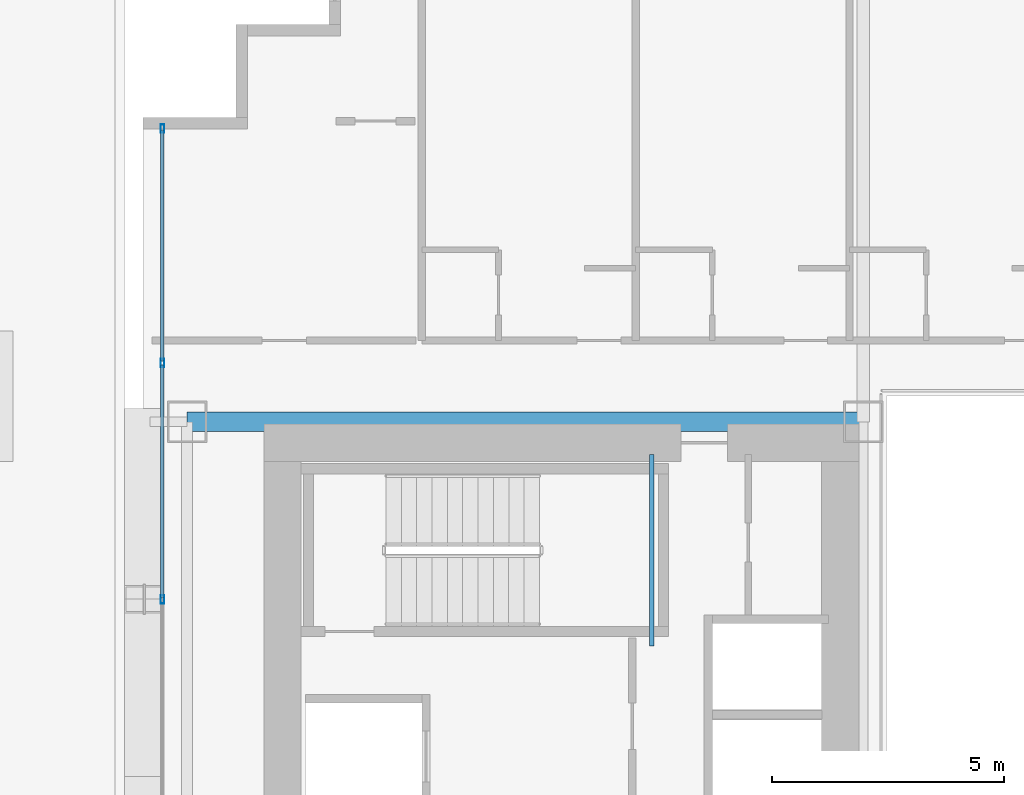
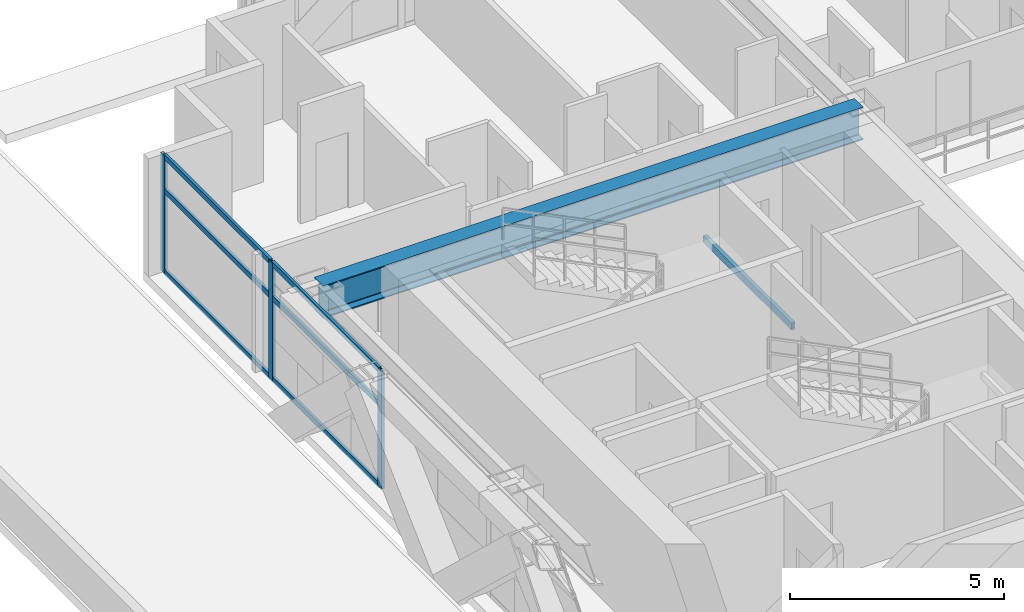
# One storey, part 15 of 35: 9 members, 2 beams, 1 element without a shape of its own.
"""IFC4 building model written with IfcOpenShell, lengths in metres."""

from ifc_helpers import new_model, si_unit, direction, frame, origin, origin_2d, place, context, subcontext, project, spatial, hollow_rectangle, i_section, extrude, source, transform, mapped, material, layer, layer_set, material_profile, profile_set, type_object, element, aggregate, save


model = new_model("IFC4")

# Units and contexts
model_context = context("Model", 3, precision=1e-05, world=origin(), true_north=direction((0.0, 1.0)))
body_context = subcontext(model_context, "Body", "Model", "MODEL_VIEW")
ifc_project = project(units=[si_unit("LENGTHUNIT", "METRE"), si_unit("AREAUNIT", "SQUARE_METRE"), si_unit("VOLUMEUNIT", "CUBIC_METRE"), si_unit("PLANEANGLEUNIT", "RADIAN"), si_unit("MASSUNIT", "GRAM", prefix="KILO")], contexts=[model_context])

# Site, building, storey
site_placement = place(None, origin())
site = spatial("IfcSite", under=ifc_project, at=site_placement, CompositionType="ELEMENT")
building_placement = place(site_placement, origin())
building = spatial("IfcBuilding", under=site, at=building_placement, Name="Ocotamira Hotel", CompositionType="ELEMENT")
storey_placement = place(building_placement, frame((0.0, 0.0, 34.800048828125)))
storey = spatial("IfcBuildingStorey", under=building, at=storey_placement, Name="L07", CompositionType="ELEMENT", Elevation=34.800048828125)

# Beams
ifc_material_1 = material(Name="Steel ASTM A500 Grade C", Category="steel")
ifc_material_profile_1 = material_profile(ifc_material_1, hollow_rectangle(XDim=0.10009765625, YDim=0.199951171875, WallThickness=0.008056640625, at=origin_2d()), Name="HSS200X100X8")
ifc_profile_set_1 = profile_set([ifc_material_profile_1], Name="Steel ASTM A500 Grade C")
beam_type_1 = type_object("IfcBeamType", Name="BM-STLDG-HSS200", PredefinedType="BEAM", material=ifc_profile_set_1)
shared_shape_1 = source(origin(), body_context, "Body", "SweptSolid", [
    extrude(hollow_rectangle(XDim=0.10009765625, YDim=0.199951171875, WallThickness=0.008056640625, at=origin_2d()), origin(), (0.0, 0.0, 1.0), 4.1201171875),
])
beam_1_placement = place(storey_placement, frame((18.949951171875, 32.6298828125, 1.5), z_axis=(0.0, 1.0, 0.0), x_axis=(-1.0, 0.0, 0.0)))
element("IfcBeam", 1, at=beam_1_placement, inside=storey, type_object=beam_type_1, Name="L07 Stair ST-2 Landing Bearer 1", PredefinedType="BEAM", context=body_context, shape_type="MappedRepresentation", body=[
    mapped(shared_shape_1, transform((0.0, 0.0, 0.0), scale=1.0)),
])
ifc_material_2 = material(Name="Steel ASTM A992 Grade 50", Category="steel")
ifc_material_profile_2 = material_profile(ifc_material_2, i_section(OverallWidth=0.41796875, OverallDepth=0.927001953125, WebThickness=0.019287109375, FlangeThickness=0.031982421875, FilletRadius=0.02392578125, at=origin_2d()), Name="W36X231")
ifc_profile_set_2 = profile_set([ifc_material_profile_2], Name="Steel ASTM A992 Grade 50")
beam_type_2 = type_object("IfcBeamType", Name="BM-GIRD-W36X231", PredefinedType="BEAM", material=ifc_profile_set_2)
shared_shape_2 = source(origin(), body_context, "Body", "SweptSolid", [
    extrude(i_section(OverallWidth=0.41796875, OverallDepth=0.927001953125, WebThickness=0.019287109375, FlangeThickness=0.031982421875, FilletRadius=0.02392578125, at=origin_2d()), origin(), (0.0, 0.0, 1.0), 14.550048828125),
])
beam_2_placement = place(storey_placement, frame((8.949951171875, 37.449951171875, 2.886474609375), z_axis=(1.0, 0.0, 0.0), x_axis=(0.0, 1.0, 0.0)))
element("IfcBeam", 2, at=beam_2_placement, inside=storey, type_object=beam_type_2, Name="L07 Girder Y37.45 X8.95-23.5", PredefinedType="BEAM", context=body_context, shape_type="MappedRepresentation", body=[
    mapped(shared_shape_2, transform((0.0, 0.0, 0.0), scale=1.0)),
])

# Curtain wall, members
ifc_material_3 = material(Name="Anodised pale-metal aluminium and solar glass", Category="aluminium")
ifc_layer = layer(ifc_material_3, 0.179931640625)
ifc_layer_set = layer_set([ifc_layer], Name="Anodised pale-metal aluminium and solar glass")
curtain_wall_type = type_object("IfcCurtainWallType", Name="CW-SYS2-Z1", PredefinedType="NOTDEFINED", material=ifc_layer_set)
curtain_wall_placement = place(storey_placement, origin())
curtain_wall = element("IfcCurtainWall", 3, at=curtain_wall_placement, inside=storey, type_object=curtain_wall_type, Name="L07 Curtain Wall CW-2 CW-L07-W", PredefinedType="NOTDEFINED")
ifc_material_4 = material(Name="Anodised pale-metal aluminium 6063-T6", Category="aluminium")
ifc_material_profile_3 = material_profile(ifc_material_4, hollow_rectangle(XDim=0.080078125, YDim=0.179931640625, WallThickness=0.006103515625, at=origin_2d()), Name="HSS180X80X6")
ifc_profile_set_3 = profile_set([ifc_material_profile_3], Name="Anodised pale-metal aluminium 6063-T6")
member_type_1 = type_object("IfcMemberType", Name="CWM-180X75", PredefinedType="MULLION", material=ifc_profile_set_3)
shared_shape_3 = source(origin(), body_context, "Body", "SweptSolid", [
    extrude(hollow_rectangle(XDim=0.080078125, YDim=0.179931640625, WallThickness=0.006103515625, at=origin_2d()), origin(), (0.0, 0.0, 1.0), 3.349853515625),
])
member_1_placement = place(storey_placement, frame((8.419921875, 33.628662109375, 0.0), z_axis=(0.0, 0.0, 1.0), x_axis=(-1.0, 0.0, 0.0)))
member_1 = element("IfcMember", 4, at=member_1_placement, type_object=member_type_1, Name="CW-2 mullion 6", PredefinedType="MULLION", context=body_context, shape_type="MappedRepresentation", body=[
    mapped(shared_shape_3, transform((0.0, 0.0, 0.0), scale=1.0)),
])
member_2_placement = place(storey_placement, frame((8.419921875, 38.71435546875, 0.0), z_axis=(0.0, 0.0, 1.0), x_axis=(-1.0, 0.0, 0.0)))
member_2 = element("IfcMember", 5, at=member_2_placement, type_object=member_type_1, Name="CW-2 mullion 7", PredefinedType="MULLION", context=body_context, shape_type="MappedRepresentation", body=[
    mapped(shared_shape_3, transform((0.0, 0.0, 0.0), scale=1.0)),
])
member_3_placement = place(storey_placement, frame((8.419921875, 43.760009765625, 0.0), z_axis=(0.0, 0.0, 1.0), x_axis=(-1.0, 0.0, 0.0)))
member_3 = element("IfcMember", 6, at=member_3_placement, type_object=member_type_1, Name="CW-2 mullion 8", PredefinedType="MULLION", context=body_context, shape_type="MappedRepresentation", body=[
    mapped(shared_shape_3, transform((0.0, 0.0, 0.0), scale=1.0)),
])
ifc_material_profile_4 = material_profile(ifc_material_4, hollow_rectangle(XDim=0.074951171875, YDim=0.14990234375, WallThickness=0.006103515625, at=origin_2d()), Name="HSS150X75X6")
ifc_profile_set_4 = profile_set([ifc_material_profile_4], Name="Anodised pale-metal aluminium 6063-T6")
member_type_2 = type_object("IfcMemberType", Name="CWT-150X75", PredefinedType="USERDEFINED", material=ifc_profile_set_4)
shared_shape_4 = source(origin(), body_context, "Body", "SweptSolid", [
    extrude(hollow_rectangle(XDim=0.074951171875, YDim=0.14990234375, WallThickness=0.006103515625, at=origin_2d()), origin(), (0.0, 0.0, 1.0), 4.965576171875),
])
member_4_placement = place(storey_placement, frame((8.419921875, 38.75439453125, 0.037353515625), z_axis=(0.0, 1.0, 0.0), x_axis=(-1.0, 0.0, 0.0)))
member_4 = element("IfcMember", 7, at=member_4_placement, type_object=member_type_2, Name="CW-2 transom 7.1", ObjectType="TRANSOM", PredefinedType="USERDEFINED", context=body_context, shape_type="MappedRepresentation", body=[
    mapped(shared_shape_4, transform((0.0, 0.0, 0.0), scale=1.0)),
])
member_5_placement = place(storey_placement, frame((8.419921875, 38.75439453125, 2.349853515625), z_axis=(0.0, 1.0, 0.0), x_axis=(-1.0, 0.0, 0.0)))
member_5 = element("IfcMember", 8, at=member_5_placement, type_object=member_type_2, Name="CW-2 transom 7.2", ObjectType="TRANSOM", PredefinedType="USERDEFINED", context=body_context, shape_type="MappedRepresentation", body=[
    mapped(shared_shape_4, transform((0.0, 0.0, 0.0), scale=1.0)),
])
member_6_placement = place(storey_placement, frame((8.419921875, 38.75439453125, 3.3125), z_axis=(0.0, 1.0, 0.0), x_axis=(-1.0, 0.0, 0.0)))
member_6 = element("IfcMember", 9, at=member_6_placement, type_object=member_type_2, Name="CW-2 transom 7.3", ObjectType="TRANSOM", PredefinedType="USERDEFINED", context=body_context, shape_type="MappedRepresentation", body=[
    mapped(shared_shape_4, transform((0.0, 0.0, 0.0), scale=1.0)),
])
shared_shape_5 = source(origin(), body_context, "Body", "SweptSolid", [
    extrude(hollow_rectangle(XDim=0.074951171875, YDim=0.14990234375, WallThickness=0.006103515625, at=origin_2d()), origin(), (0.0, 0.0, 1.0), 5.005859375),
])
member_7_placement = place(storey_placement, frame((8.419921875, 33.66845703125, 0.037353515625), z_axis=(0.0, 1.0, 0.0), x_axis=(-1.0, 0.0, 0.0)))
member_7 = element("IfcMember", 10, at=member_7_placement, type_object=member_type_2, Name="CW-2 transom 6.1", ObjectType="TRANSOM", PredefinedType="USERDEFINED", context=body_context, shape_type="MappedRepresentation", body=[
    mapped(shared_shape_5, transform((0.0, 0.0, 0.0), scale=1.0)),
])
member_8_placement = place(storey_placement, frame((8.419921875, 33.66845703125, 2.349853515625), z_axis=(0.0, 1.0, 0.0), x_axis=(-1.0, 0.0, 0.0)))
member_8 = element("IfcMember", 11, at=member_8_placement, type_object=member_type_2, Name="CW-2 transom 6.2", ObjectType="TRANSOM", PredefinedType="USERDEFINED", context=body_context, shape_type="MappedRepresentation", body=[
    mapped(shared_shape_5, transform((0.0, 0.0, 0.0), scale=1.0)),
])
member_9_placement = place(storey_placement, frame((8.419921875, 33.66845703125, 3.3125), z_axis=(0.0, 1.0, 0.0), x_axis=(-1.0, 0.0, 0.0)))
member_9 = element("IfcMember", 12, at=member_9_placement, type_object=member_type_2, Name="CW-2 transom 6.3", ObjectType="TRANSOM", PredefinedType="USERDEFINED", context=body_context, shape_type="MappedRepresentation", body=[
    mapped(shared_shape_5, transform((0.0, 0.0, 0.0), scale=1.0)),
])
aggregate(curtain_wall, [member_1, member_2, member_3, member_7, member_8, member_9, member_4, member_5, member_6])

save(model, "model.ifc")
